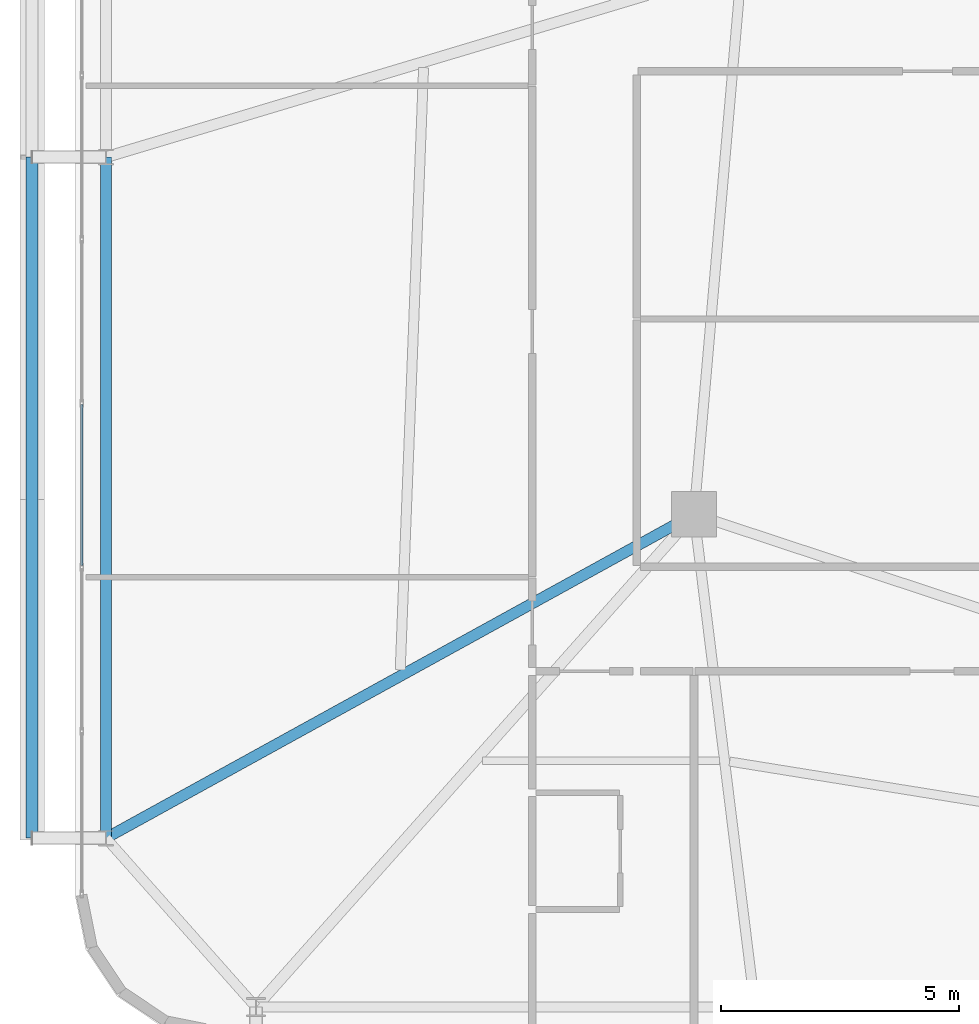
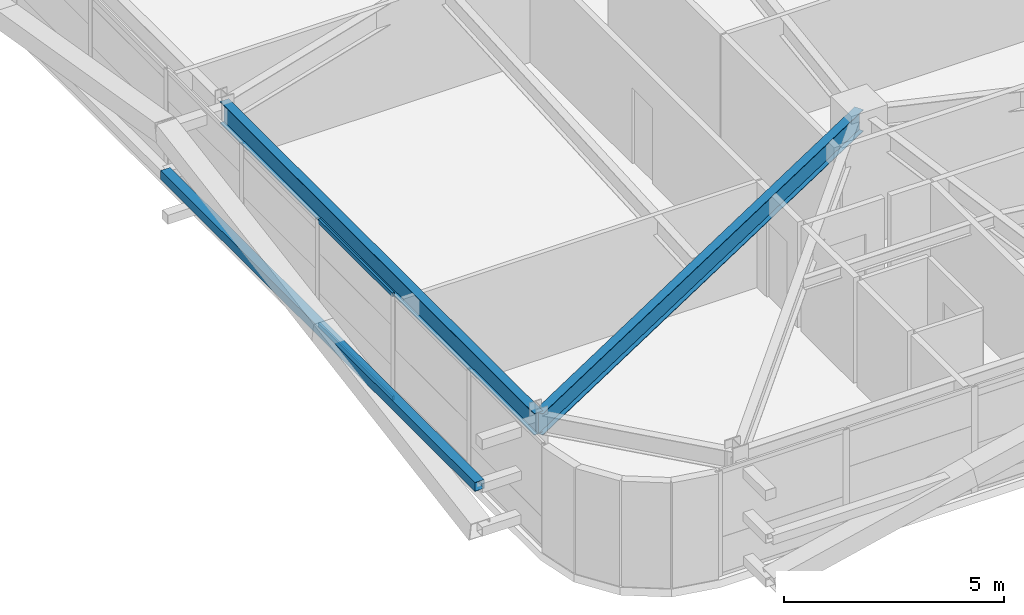
# One storey, part 9 of 59: 3 members, 2 beams, 1 element without a shape of its own.
"""IFC4 building model written with IfcOpenShell, lengths in metres."""

from ifc_helpers import new_model, si_unit, direction, frame, origin, origin_2d, place, context, subcontext, project, spatial, hollow_rectangle, i_section, extrude, source, transform, mapped, material, layer, layer_set, material_profile, profile_set, type_object, element, aggregate, save


model = new_model("IFC4")

# Units and contexts
model_context = context("Model", 3, precision=1e-05, world=origin(), true_north=direction((0.0, 1.0)))
body_context = subcontext(model_context, "Body", "Model", "MODEL_VIEW")
ifc_project = project(units=[si_unit("LENGTHUNIT", "METRE"), si_unit("AREAUNIT", "SQUARE_METRE"), si_unit("VOLUMEUNIT", "CUBIC_METRE"), si_unit("PLANEANGLEUNIT", "RADIAN"), si_unit("MASSUNIT", "GRAM", prefix="KILO")], contexts=[model_context])

# Site, building, storey
site_placement = place(None, origin())
site = spatial("IfcSite", under=ifc_project, at=site_placement, CompositionType="ELEMENT")
building_placement = place(site_placement, origin())
building = spatial("IfcBuilding", under=site, at=building_placement, Name="Taldren Reach Tower", CompositionType="ELEMENT")
storey_placement = place(building_placement, frame((0.0, 0.0, 29.39990234375)))
storey = spatial("IfcBuildingStorey", under=building, at=storey_placement, Name="L08", CompositionType="ELEMENT", Elevation=29.39990234375)

# Beams
ifc_material_1 = material(Name="Steel Gr 350 (350PLUS)", Category="steel")
ifc_material_profile_1 = material_profile(ifc_material_1, i_section(OverallWidth=0.22802734375, OverallDepth=0.60205078125, WebThickness=0.010498046875, FlangeThickness=0.014892578125, at=origin_2d()), Name="610UB101")
ifc_profile_set_1 = profile_set([ifc_material_profile_1], Name="Steel Gr 350 (350PLUS)")
beam_type = type_object("IfcBeamType", Name="BM-UB610B", PredefinedType="BEAM", material=ifc_profile_set_1)
shared_shape_1 = source(origin(), body_context, "Body", "SweptSolid", [
    extrude(i_section(OverallWidth=0.22802734375, OverallDepth=0.60205078125, WebThickness=0.010498046875, FlangeThickness=0.014892578125, at=origin_2d()), origin(), (0.0, 0.0, 1.0), 14.300048828125),
])
beam_1_placement = place(storey_placement, frame((5.64990234375, 20.0, 2.629150390625), z_axis=(0.0, -1.0, 0.0), x_axis=(1.0, 0.0, 0.0)))
element("IfcBeam", 1, at=beam_1_placement, inside=storey, type_object=beam_type, Name="Perimeter gable girder B1 W2-W1 L08", PredefinedType="BEAM", context=body_context, shape_type="MappedRepresentation", body=[
    mapped(shared_shape_1, transform((0.0, 0.0, 0.0), scale=1.0)),
])
shared_shape_2 = source(origin(), body_context, "Body", "SweptSolid", [
    extrude(i_section(OverallWidth=0.22802734375, OverallDepth=0.60205078125, WebThickness=0.010498046875, FlangeThickness=0.014892578125, at=origin_2d()), origin(), (0.0, 0.0, 1.0), 14.098388671875),
])
beam_2_placement = place(storey_placement, frame((18.0, 12.5, 2.629150390625), z_axis=(-0.875991325783, -0.482326857175, 0.0), x_axis=(0.482326857175, -0.875991325783, 0.0)))
element("IfcBeam", 2, at=beam_2_placement, inside=storey, type_object=beam_type, Name="Primary floor girder B1-W1 L08", PredefinedType="BEAM", context=body_context, shape_type="MappedRepresentation", body=[
    mapped(shared_shape_2, transform((0.0, 0.0, 0.0), scale=1.0)),
])

# Member
ifc_material_2 = material(Name="Steel Gr 350 (C350L0)", Category="steel")
ifc_material_profile_2 = material_profile(ifc_material_2, hollow_rectangle(XDim=0.25, YDim=0.25, WallThickness=0.010009765625, at=origin_2d()), Name="250x250x10.0SHS")
ifc_profile_set_2 = profile_set([ifc_material_profile_2], Name="Steel Gr 350 (C350L0)")
member_type_1 = type_object("IfcMemberType", Name="MB-POST250", PredefinedType="POST", material=ifc_profile_set_2)
shared_shape_3 = source(origin(), body_context, "Body", "SweptSolid", [
    extrude(hollow_rectangle(XDim=0.25, YDim=0.25, WallThickness=0.010009765625, at=origin_2d()), origin(), (0.0, 0.0, 1.0), 14.300048828125),
])
member_1_placement = place(storey_placement, frame((4.10009765625, 5.699951171875, 1.43505859375), z_axis=(0.0, 1.0, 0.0), x_axis=(-1.0, 0.0, 0.0)))
element("IfcMember", 3, at=member_1_placement, inside=storey, type_object=member_type_1, Name="Exoskeleton mid-height ring chord B1-W1 L08", PredefinedType="POST", context=body_context, shape_type="MappedRepresentation", body=[
    mapped(shared_shape_3, transform((0.0, 0.0, 0.0), scale=1.0)),
])

# Curtain wall, members
ifc_material_3 = material(Name="Aluminium and Low-E Glass Unitised System", Category="aluminium")
ifc_layer = layer(ifc_material_3, 0.159912109375)
ifc_layer_set = layer_set([ifc_layer], Name="Aluminium and Low-E Glass Unitised System")
curtain_wall_type = type_object("IfcCurtainWallType", Name="CW-SYS-2", PredefinedType="NOTDEFINED", material=ifc_layer_set)
curtain_wall_placement = place(storey_placement, origin())
curtain_wall = element("IfcCurtainWall", 4, at=curtain_wall_placement, inside=storey, type_object=curtain_wall_type, Name="Unitised curtain wall CW-L08-W", PredefinedType="NOTDEFINED")
ifc_material_4 = material(Name="Anodised Aluminium 6063-T6", Category="aluminium")
ifc_material_profile_3 = material_profile(ifc_material_4, hollow_rectangle(XDim=0.054931640625, YDim=0.1201171875, WallThickness=0.0029296875, at=origin_2d()), Name="ALU-120x55x3RHS")
ifc_profile_set_3 = profile_set([ifc_material_profile_3], Name="Anodised Aluminium 6063-T6")
member_type_2 = type_object("IfcMemberType", Name="CW-TRN-135", PredefinedType="USERDEFINED", material=ifc_profile_set_3)
shared_shape_4 = source(origin(), body_context, "Body", "SweptSolid", [
    extrude(hollow_rectangle(XDim=0.054931640625, YDim=0.1201171875, WallThickness=0.0029296875, at=origin_2d()), origin(), (0.0, 0.0, 1.0), 3.37939453125),
])
member_2_placement = place(storey_placement, frame((5.139892578125, 14.80078125, 0.027587890625), z_axis=(0.0, -1.0, 0.0), x_axis=(1.0, 0.0, 0.0)))
member_2 = element("IfcMember", 5, at=member_2_placement, type_object=member_type_2, Name="CW-2 transom 7.1", ObjectType="TRANSOM", PredefinedType="USERDEFINED", context=body_context, shape_type="MappedRepresentation", body=[
    mapped(shared_shape_4, transform((0.0, 0.0, 0.0), scale=1.0)),
])
member_3_placement = place(storey_placement, frame((5.139892578125, 14.80078125, 2.902587890625), z_axis=(0.0, -1.0, 0.0), x_axis=(1.0, 0.0, 0.0)))
member_3 = element("IfcMember", 6, at=member_3_placement, type_object=member_type_2, Name="CW-2 transom 7.2", ObjectType="TRANSOM", PredefinedType="USERDEFINED", context=body_context, shape_type="MappedRepresentation", body=[
    mapped(shared_shape_4, transform((0.0, 0.0, 0.0), scale=1.0)),
])
aggregate(curtain_wall, [member_2, member_3])

save(model, "model.ifc")
